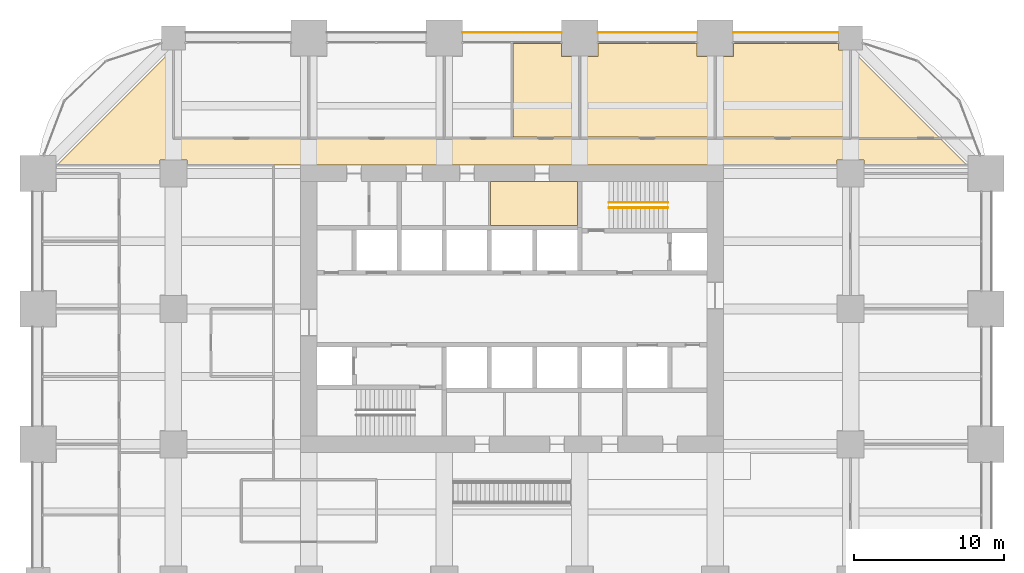
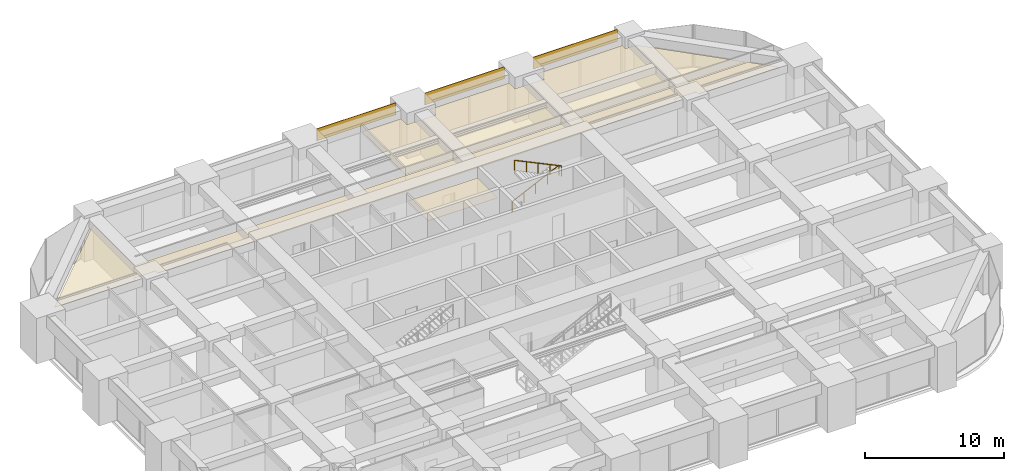
# One storey, part 41 of 41: 9 coverings, 2 railings.
"""IFC4 building model written with IfcOpenShell, lengths in metres."""

from ifc_helpers import new_model, si_unit, direction, frame, frame_2d, origin, origin_2d, place, context, subcontext, project, spatial, polyline, rectangle, circle, outline, extrude, material, layer, layer_set, type_object, element, save


model = new_model("IFC4")

# Units and contexts
model_context = context("Model", 3, precision=1e-05, world=origin(), true_north=direction((0.0, 1.0)))
body_context = subcontext(model_context, "Body", "Model", "MODEL_VIEW")
ifc_project = project(units=[si_unit("LENGTHUNIT", "METRE"), si_unit("AREAUNIT", "SQUARE_METRE"), si_unit("VOLUMEUNIT", "CUBIC_METRE"), si_unit("PLANEANGLEUNIT", "RADIAN"), si_unit("MASSUNIT", "GRAM", prefix="KILO")], contexts=[model_context])

# Site, building, storey
site_placement = place(None, origin())
site = spatial("IfcSite", under=ifc_project, at=site_placement, CompositionType="ELEMENT")
building_placement = place(site_placement, origin())
building = spatial("IfcBuilding", under=site, at=building_placement, Name="Zorevar Civic Tower", CompositionType="ELEMENT")
storey_placement = place(building_placement, frame((0.0, 0.0, 137.0)))
storey = spatial("IfcBuildingStorey", under=building, at=storey_placement, Name="L33", CompositionType="ELEMENT", Elevation=137.0)

# Railings
ifc_material_1 = material(Name="Black steel handrail", Category="steel")
railing_type = type_object("IfcRailingType", Name="Handrail HR1 900", PredefinedType="HANDRAIL", material=ifc_material_1)
railing_1_placement = place(storey_placement, frame((37.949951171875, 34.074951171875, 0.142822265625)))
element("IfcRailing", 1, at=railing_1_placement, inside=storey, type_object=railing_type, Name="Handrail HR1 ST2 L33", PredefinedType="HANDRAIL", context=body_context, shape_type="SweptSolid", body=[
    extrude(circle(Radius=0.02392578125, at=origin_2d()), frame((0.0, 0.0, 0.8759765625), z_axis=(0.902863652845, 0.0, 0.429926998885), x_axis=(0.0, 1.0, 0.0)), (0.0, 0.0, 1.0), 4.31982421875),
    extrude(circle(Radius=0.02099609375, at=origin_2d()), origin(), (0.0, 0.0, 1.0), 0.851806640625),
    extrude(circle(Radius=0.02099609375, at=origin_2d()), frame((0.97509765625, 0.0, 0.46435546875)), (0.0, 0.0, 1.0), 0.851806640625),
    extrude(circle(Radius=0.02099609375, at=origin_2d()), frame((1.9501953125, 0.0, 0.9287109375)), (0.0, 0.0, 1.0), 0.851806640625),
    extrude(circle(Radius=0.02099609375, at=origin_2d()), frame((2.925048828125, 0.0, 1.392822265625)), (0.0, 0.0, 1.0), 0.851806640625),
    extrude(circle(Radius=0.02099609375, at=origin_2d()), frame((3.900146484375, 0.0, 1.857177734375)), (0.0, 0.0, 1.0), 0.851806640625),
])
railing_2_placement = place(storey_placement, frame((41.85009765625, 33.72509765625, 2.142822265625)))
element("IfcRailing", 2, at=railing_2_placement, inside=storey, type_object=railing_type, Name="Handrail HR1 ST2 L33", PredefinedType="HANDRAIL", context=body_context, shape_type="SweptSolid", body=[
    extrude(circle(Radius=0.02392578125, at=origin_2d()), frame((0.0, 0.0, 0.8759765625), z_axis=(-0.902863652845, 0.0, 0.429926998885), x_axis=(0.0, -1.0, 0.0)), (0.0, 0.0, 1.0), 4.31982421875),
    extrude(circle(Radius=0.02099609375, at=origin_2d()), origin(), (0.0, 0.0, 1.0), 0.851806640625),
    extrude(circle(Radius=0.02099609375, at=origin_2d()), frame((-0.97509765625, 0.0, 0.46435546875)), (0.0, 0.0, 1.0), 0.851806640625),
    extrude(circle(Radius=0.02099609375, at=origin_2d()), frame((-1.9501953125, 0.0, 0.9287109375)), (0.0, 0.0, 1.0), 0.851806640625),
    extrude(circle(Radius=0.02099609375, at=origin_2d()), frame((-2.925048828125, 0.0, 1.392822265625)), (0.0, 0.0, 1.0), 0.851806640625),
    extrude(circle(Radius=0.02099609375, at=origin_2d()), frame((-3.900146484375, 0.0, 1.857177734375)), (0.0, 0.0, 1.0), 0.851806640625),
])

# Coverings
ifc_material_2 = material(Name="Black anodised aluminium spandrel panel", Category="aluminium")
ifc_layer_1 = layer(ifc_material_2, 0.050048828125)
ifc_layer_set_1 = layer_set([ifc_layer_1], Name="Spandrel cladding SP1")
covering_type_1 = type_object("IfcCoveringType", Name="Spandrel cladding SP1", PredefinedType="CLADDING", material=ifc_layer_set_1)
for number, where, z_axis, x_axis, name in (
    (3, (28.199951171875, 45.375, 2.949951171875), (0.0, 0.0, 1.0), (1.0, 0.0, 0.0), "Spandrel cladding L34"),
    (4, (37.199951171875, 45.375, 2.949951171875), (0.0, 0.0, 1.0), (1.0, 0.0, 0.0), "Spandrel cladding L34"),
):
    element("IfcCovering", number, at=place(storey_placement, frame(where, z_axis=z_axis, x_axis=x_axis)), inside=storey, type_object=covering_type_1, Name=name, PredefinedType="CLADDING", context=body_context, shape_type="SweptSolid", body=[
        extrude(rectangle(XDim=6.60009765625, YDim=0.050048828125, at=frame_2d((3.300048828125, 0.0))), origin(), (0.0, 0.0, 1.0), 1.050048828125),
    ])
covering_1_placement = place(storey_placement, frame((46.199951171875, 45.375, 2.949951171875), z_axis=(0.0, 0.0, 1.0), x_axis=(1.0, 0.0, 0.0)))
element("IfcCovering", 5, at=covering_1_placement, inside=storey, type_object=covering_type_1, Name="Spandrel cladding L34", PredefinedType="CLADDING", context=body_context, shape_type="SweptSolid", body=[
    extrude(rectangle(XDim=7.0, YDim=0.050048828125, at=frame_2d((3.5, 0.0))), origin(), (0.0, 0.0, 1.0), 1.050048828125),
])
ifc_material_3 = material(Name="Mineral fibre tiles on a concealed grid")
ifc_layer_2 = layer(ifc_material_3, 0.02001953125)
ifc_layer_set_2 = layer_set([ifc_layer_2], Name="Suspended ceiling SC1")
covering_type_2 = type_object("IfcCoveringType", Name="Suspended ceiling SC1", PredefinedType="CEILING", material=ifc_layer_set_2)
covering_2_placement = place(storey_placement, frame((0.0, 0.0, 3.0)))
element("IfcCovering", 6, at=covering_2_placement, inside=storey, type_object=covering_type_2, Name="Ceiling L33-08", PredefinedType="CEILING", context=body_context, shape_type="SweptSolid", body=[
    extrude(outline(polyline([(35.85009765625, 32.550048828125), (35.85009765625, 35.449951171875), (30.06005859375, 35.449951171875), (30.06005859375, 32.550048828125), (35.85009765625, 32.550048828125)])), origin(), (0.0, 0.0, 1.0), 0.02001953125),
])
covering_3_placement = place(storey_placement, frame((0.0, 0.0, 3.0)))
element("IfcCovering", 7, at=covering_3_placement, inside=storey, type_object=covering_type_2, Name="Ceiling L33-20", PredefinedType="CEILING", context=body_context, shape_type="SweptSolid", body=[
    extrude(outline(polyline([(31.56005859375, 38.409912109375), (31.56005859375, 44.64990234375), (34.7900390625, 44.64990234375), (34.7900390625, 43.7900390625), (35.93994140625, 43.7900390625), (35.93994140625, 38.409912109375), (31.56005859375, 38.409912109375)])), origin(), (0.0, 0.0, 1.0), 0.02001953125),
])
covering_4_placement = place(storey_placement, frame((0.0, 0.0, 3.0)))
element("IfcCovering", 8, at=covering_4_placement, inside=storey, type_object=covering_type_2, Name="Ceiling L33-21", PredefinedType="CEILING", context=body_context, shape_type="SweptSolid", body=[
    extrude(outline(polyline([(37.2099609375, 43.7900390625), (37.2099609375, 44.64990234375), (43.7900390625, 44.64990234375), (43.7900390625, 43.7900390625), (44.93994140625, 43.7900390625), (44.93994140625, 38.409912109375), (36.06005859375, 38.409912109375), (36.06005859375, 43.7900390625), (37.2099609375, 43.7900390625)])), origin(), (0.0, 0.0, 1.0), 0.02001953125),
])
covering_5_placement = place(storey_placement, frame((0.0, 0.0, 3.0)))
element("IfcCovering", 9, at=covering_5_placement, inside=storey, type_object=covering_type_2, Name="Ceiling L33-22", PredefinedType="CEILING", context=body_context, shape_type="SweptSolid", body=[
    extrude(outline(polyline([(46.2099609375, 43.7900390625), (46.2099609375, 44.64990234375), (53.18994140625, 44.64990234375), (53.18994140625, 44.18994140625), (53.93994140625, 44.18994140625), (53.93994140625, 38.409912109375), (45.06005859375, 38.409912109375), (45.06005859375, 43.7900390625), (46.2099609375, 43.7900390625)])), origin(), (0.0, 0.0, 1.0), 0.02001953125),
])
covering_6_placement = place(storey_placement, frame((0.0, 0.0, 3.0)))
element("IfcCovering", 10, at=covering_6_placement, inside=storey, type_object=covering_type_2, Name="Ceiling L33-39", PredefinedType="CEILING", context=body_context, shape_type="SweptSolid", body=[
    extrude(outline(polyline([(54.06005859375, 38.39990234375), (54.06005859375, 44.18994140625), (54.102783203125, 44.18994140625), (59.892822265625, 38.39990234375), (54.06005859375, 38.39990234375)])), origin(), (0.0, 0.0, 1.0), 0.02001953125),
])
covering_7_placement = place(storey_placement, frame((0.0, 0.0, 3.0)))
element("IfcCovering", 11, at=covering_7_placement, inside=storey, type_object=covering_type_2, Name="Ceiling L33-42", PredefinedType="CEILING", context=body_context, shape_type="SweptSolid", body=[
    extrude(outline(polyline([(8.93994140625, 44.18994140625), (8.93994140625, 38.35009765625), (9.0, 38.35009765625), (9.0, 38.2900390625), (54.0, 38.2900390625), (54.0, 38.300048828125), (59.992919921875, 38.300048828125), (61.69287109375, 36.60009765625), (54.909912109375, 36.60009765625), (54.909912109375, 36.909912109375), (53.090087890625, 36.909912109375), (53.090087890625, 36.60009765625), (47.35009765625, 36.60009765625), (47.35009765625, 36.550048828125), (15.64990234375, 36.550048828125), (15.64990234375, 36.60009765625), (9.909912109375, 36.60009765625), (9.909912109375, 36.909912109375), (8.090087890625, 36.909912109375), (8.090087890625, 36.60009765625), (1.30712890625, 36.60009765625), (8.897216796875, 44.18994140625), (8.93994140625, 44.18994140625)])), origin(), (0.0, 0.0, 1.0), 0.02001953125),
])

save(model, "model.ifc")
